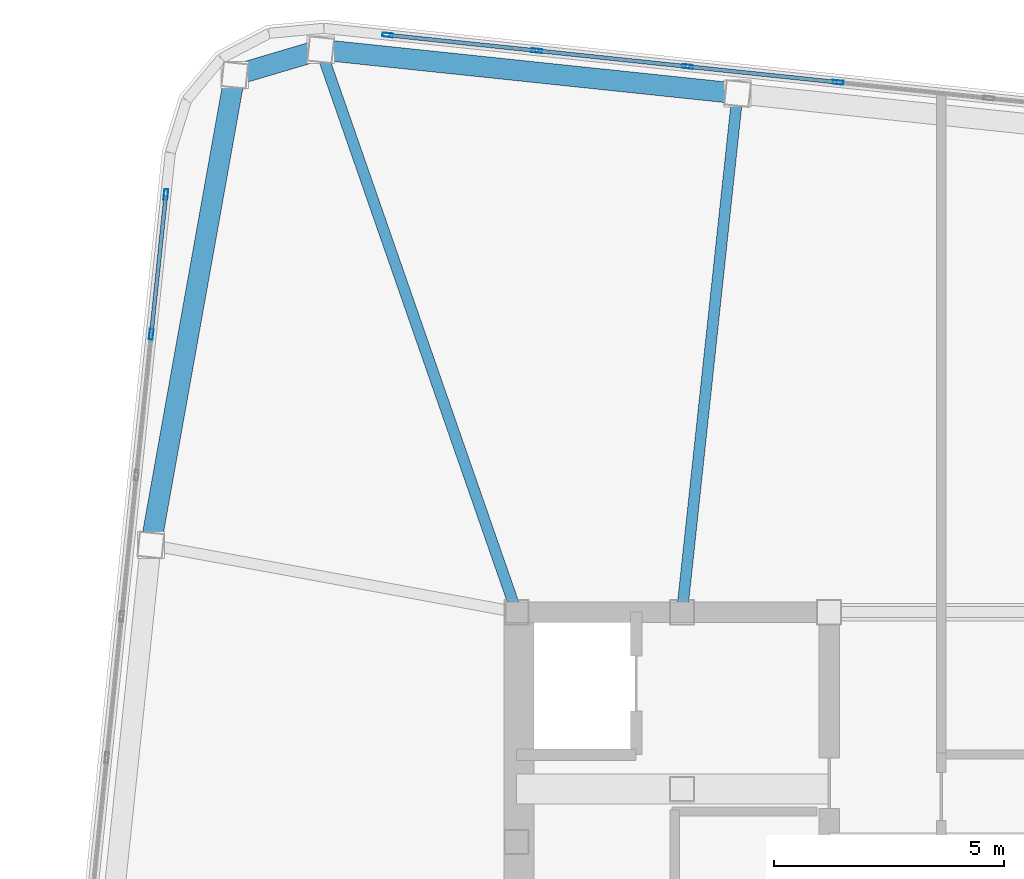
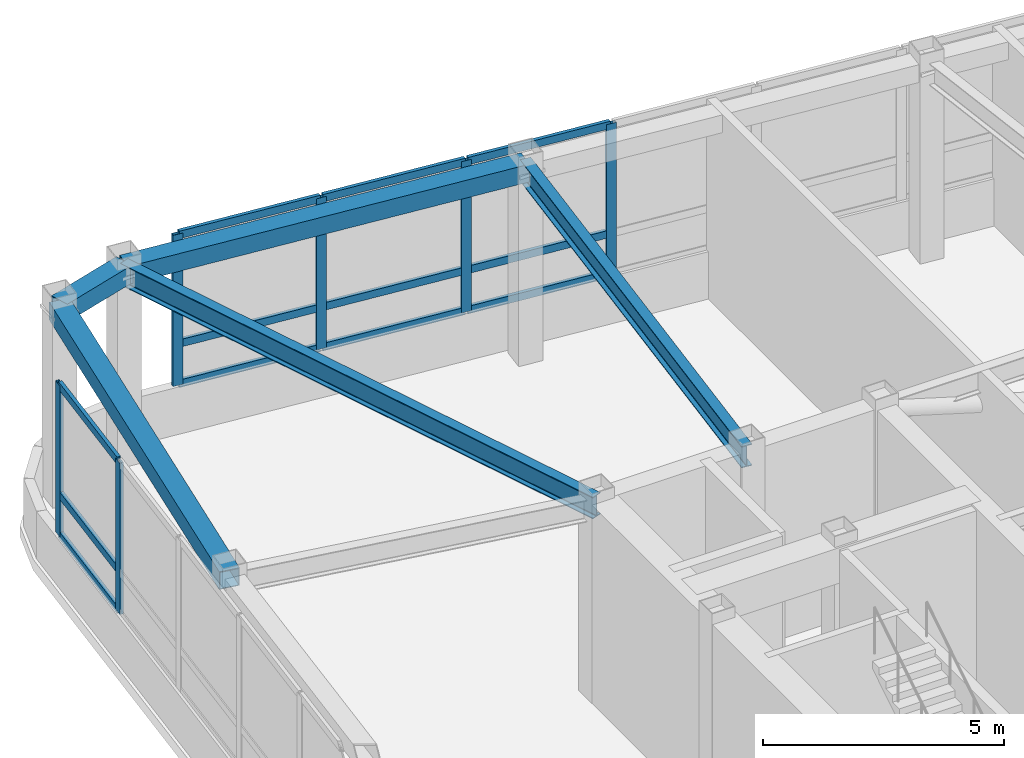
# One storey, part 14 of 23: 18 members, 5 beams, 2 elements without a shape of their own.
"""IFC4 building model written with IfcOpenShell, lengths in metres."""

from ifc_helpers import new_model, si_unit, direction, frame, origin, origin_2d, place, context, subcontext, project, spatial, hollow_rectangle, i_section, extrude, material, layer, layer_set, material_profile, profile_set, type_object, element, aggregate, save


model = new_model("IFC4")

# Units and contexts
model_context = context("Model", 3, precision=1e-05, world=origin(), true_north=direction((0.0, 1.0)))
body_context = subcontext(model_context, "Body", "Model", "MODEL_VIEW")
ifc_project = project(units=[si_unit("LENGTHUNIT", "METRE"), si_unit("AREAUNIT", "SQUARE_METRE"), si_unit("VOLUMEUNIT", "CUBIC_METRE"), si_unit("PLANEANGLEUNIT", "RADIAN"), si_unit("MASSUNIT", "GRAM", prefix="KILO")], contexts=[model_context])

# Site, building, storey
site_placement = place(None, origin())
site = spatial("IfcSite", under=ifc_project, at=site_placement, CompositionType="ELEMENT")
building_placement = place(site_placement, origin())
building = spatial("IfcBuilding", under=site, at=building_placement, Name="Voryun Gate Residences", CompositionType="ELEMENT")
storey_placement = place(building_placement, frame((0.0, 0.0, 326.60009765625)))
storey = spatial("IfcBuildingStorey", under=building, at=storey_placement, Name="L80", CompositionType="ELEMENT", Elevation=326.60009765625)

# Beams
ifc_material_1 = material(Name="Steel SM355", Category="steel")
ifc_material_profile_1 = material_profile(ifc_material_1, hollow_rectangle(XDim=0.449951171875, YDim=0.449951171875, WallThickness=0.01806640625, at=origin_2d()), Name="BOX-450x450x18")
ifc_profile_set_1 = profile_set([ifc_material_profile_1], Name="Steel SM355")
beam_type_1 = type_object("IfcBeamType", Name="BM_CROWN_RING", PredefinedType="BEAM", material=ifc_profile_set_1)
beam_1_placement = place(storey_placement, frame((-14.3916015625, 18.684814453125, 4.7998046875), z_axis=(-0.994520844313, 0.104538462908, 0.0), x_axis=(-0.104538462908, -0.994520844313, 0.0)))
element("IfcBeam", 1, at=beam_1_placement, inside=storey, type_object=beam_type_1, Name="BM-L80-SPAND-15", PredefinedType="BEAM", context=body_context, shape_type="SweptSolid", body=[
    extrude(hollow_rectangle(XDim=0.449951171875, YDim=0.449951171875, WallThickness=0.01806640625, at=origin_2d()), origin(), (0.0, 0.0, 1.0), 9.119873046875),
])
beam_2_placement = place(storey_placement, frame((-23.46142578125, 19.63818359375, 4.7998046875), z_axis=(-0.958835963288, -0.283960552728, 0.0), x_axis=(0.283960552728, -0.958835963288, 0.0)))
element("IfcBeam", 2, at=beam_2_placement, inside=storey, type_object=beam_type_1, Name="BM-L80-SPAND-16", PredefinedType="BEAM", context=body_context, shape_type="SweptSolid", body=[
    extrude(hollow_rectangle(XDim=0.449951171875, YDim=0.449951171875, WallThickness=0.01806640625, at=origin_2d()), origin(), (0.0, 0.0, 1.0), 1.95166015625),
])
beam_3_placement = place(storey_placement, frame((-25.332763671875, 19.083984375, 4.7998046875), z_axis=(-0.175791452213, -0.984427430199, 0.0), x_axis=(0.984427430199, -0.175791452213, 0.0)))
element("IfcBeam", 3, at=beam_3_placement, inside=storey, type_object=beam_type_1, Name="BM-L80-SPAND-17", PredefinedType="BEAM", context=body_context, shape_type="SweptSolid", body=[
    extrude(hollow_rectangle(XDim=0.449951171875, YDim=0.449951171875, WallThickness=0.01806640625, at=origin_2d()), origin(), (0.0, 0.0, 1.0), 10.384033203125),
])
ifc_material_2 = material(Name="Steel SM355", Category="steel")
ifc_material_profile_2 = material_profile(ifc_material_2, i_section(OverallWidth=0.239990234375, OverallDepth=0.550048828125, WebThickness=0.011962890625, FlangeThickness=0.02001953125, FilletRadius=0.01806640625, at=origin_2d()), Name="H-550x240x12x20")
ifc_profile_set_2 = profile_set([ifc_material_profile_2], Name="Steel SM355")
beam_type_2 = type_object("IfcBeamType", Name="BM_GIRD_550", PredefinedType="USERDEFINED", material=ifc_profile_set_2)
beam_4_placement = place(storey_placement, frame((-15.60009765625, 7.39990234375, 4.75), z_axis=(0.106480715232, 0.994314767709, 0.0), x_axis=(-0.994314767709, 0.106480715232, 0.0)))
element("IfcBeam", 4, at=beam_4_placement, inside=storey, type_object=beam_type_2, Name="BM-L80-RAD-N5", ObjectType="GIRDER", PredefinedType="USERDEFINED", context=body_context, shape_type="SweptSolid", body=[
    extrude(i_section(OverallWidth=0.239990234375, OverallDepth=0.550048828125, WebThickness=0.011962890625, FlangeThickness=0.02001953125, FilletRadius=0.01806640625, at=origin_2d()), origin(), (0.0, 0.0, 1.0), 11.349365234375),
])
beam_5_placement = place(storey_placement, frame((-19.199951171875, 7.39990234375, 4.75), z_axis=(-0.328842846436, 0.944384658043, 0.0), x_axis=(-0.944384658043, -0.328842846436, 0.0)))
element("IfcBeam", 5, at=beam_5_placement, inside=storey, type_object=beam_type_2, Name="BM-L80-RAD-N6", ObjectType="GIRDER", PredefinedType="USERDEFINED", context=body_context, shape_type="SweptSolid", body=[
    extrude(i_section(OverallWidth=0.239990234375, OverallDepth=0.550048828125, WebThickness=0.011962890625, FlangeThickness=0.02001953125, FilletRadius=0.01806640625, at=origin_2d()), origin(), (0.0, 0.0, 1.0), 12.958984375),
])

# Curtain wall, members
ifc_material_3 = material(Name="Anodised aluminium", Category="aluminium")
ifc_layer = layer(ifc_material_3, 0.22998046875, Name="CW_SYS_LANTERN_DARK_GLASS")
ifc_layer_set = layer_set([ifc_layer], Name="Anodised aluminium")
curtain_wall_type = type_object("IfcCurtainWallType", Name="CW_SYS_LANTERN_DARK_GLASS", PredefinedType="NOTDEFINED", material=ifc_layer_set)
curtain_wall_1_placement = place(storey_placement, origin())
curtain_wall_1 = element("IfcCurtainWall", 6, at=curtain_wall_1_placement, inside=storey, type_object=curtain_wall_type, Name="Curtain wall CW6-L80-06", PredefinedType="NOTDEFINED")
ifc_material_4 = material(Name="Anodised aluminium", Category="aluminium")
ifc_material_profile_3 = material_profile(ifc_material_4, hollow_rectangle(XDim=0.0849609375, YDim=0.22998046875, WallThickness=0.006103515625, at=origin_2d()), Name="ALU-MULL-230x85x6")
ifc_profile_set_3 = profile_set([ifc_material_profile_3], Name="Anodised aluminium")
member_type_1 = type_object("IfcMemberType", Name="CW_MULL_LANT", PredefinedType="MULLION", material=ifc_profile_set_3)
member_1_placement = place(storey_placement, frame((-27.14892578125, 13.447265625, 1.18994140625), z_axis=(0.0, 0.0, 1.0), x_axis=(-0.994521943608, 0.104528004296, 0.0)))
member_1 = element("IfcMember", 7, at=member_1_placement, type_object=member_type_1, Name="CW6 mullion 9", PredefinedType="MULLION", context=body_context, shape_type="SweptSolid", body=[
    extrude(hollow_rectangle(XDim=0.0849609375, YDim=0.22998046875, WallThickness=0.006103515625, at=origin_2d()), origin(), (0.0, 0.0, 1.0), 3.8349609375),
])
member_2_placement = place(storey_placement, frame((-26.829345703125, 16.48828125, 1.18994140625), z_axis=(0.0, 0.0, 1.0), x_axis=(-0.994521943608, 0.104528004296, 0.0)))
member_2 = element("IfcMember", 8, at=member_2_placement, type_object=member_type_1, Name="CW6 mullion 10", PredefinedType="MULLION", context=body_context, shape_type="SweptSolid", body=[
    extrude(hollow_rectangle(XDim=0.0849609375, YDim=0.22998046875, WallThickness=0.006103515625, at=origin_2d()), origin(), (0.0, 0.0, 1.0), 3.8349609375),
])

curtain_wall_2_placement = place(storey_placement, origin())
curtain_wall_2 = element("IfcCurtainWall", 9, at=curtain_wall_2_placement, inside=storey, type_object=curtain_wall_type, Name="Curtain wall CW6-L80-11", PredefinedType="NOTDEFINED")
member_3_placement = place(storey_placement, frame((-22.005615234375, 19.957763671875, 1.18994140625), z_axis=(0.0, 0.0, 1.0), x_axis=(0.10452775858, 0.994521969434, 0.0)))
member_3 = element("IfcMember", 10, at=member_3_placement, type_object=member_type_1, Name="CW6 mullion 1", PredefinedType="MULLION", context=body_context, shape_type="SweptSolid", body=[
    extrude(hollow_rectangle(XDim=0.0849609375, YDim=0.22998046875, WallThickness=0.006103515625, at=origin_2d()), origin(), (0.0, 0.0, 1.0), 3.8349609375),
])
member_4_placement = place(storey_placement, frame((-18.7587890625, 19.616455078125, 1.18994140625), z_axis=(0.0, 0.0, 1.0), x_axis=(0.10452775858, 0.994521969434, 0.0)))
member_4 = element("IfcMember", 11, at=member_4_placement, type_object=member_type_1, Name="CW6 mullion 2", PredefinedType="MULLION", context=body_context, shape_type="SweptSolid", body=[
    extrude(hollow_rectangle(XDim=0.0849609375, YDim=0.22998046875, WallThickness=0.006103515625, at=origin_2d()), origin(), (0.0, 0.0, 1.0), 3.8349609375),
])
member_5_placement = place(storey_placement, frame((-15.482177734375, 19.272216796875, 1.18994140625), z_axis=(0.0, 0.0, 1.0), x_axis=(0.10452775858, 0.994521969434, 0.0)))
member_5 = element("IfcMember", 12, at=member_5_placement, type_object=member_type_1, Name="CW6 mullion 3", PredefinedType="MULLION", context=body_context, shape_type="SweptSolid", body=[
    extrude(hollow_rectangle(XDim=0.0849609375, YDim=0.22998046875, WallThickness=0.006103515625, at=origin_2d()), origin(), (0.0, 0.0, 1.0), 3.8349609375),
])
member_6_placement = place(storey_placement, frame((-12.20556640625, 18.927734375, 1.18994140625), z_axis=(0.0, 0.0, 1.0), x_axis=(0.10452775858, 0.994521969434, 0.0)))
member_6 = element("IfcMember", 13, at=member_6_placement, type_object=member_type_1, Name="CW6 mullion 4", PredefinedType="MULLION", context=body_context, shape_type="SweptSolid", body=[
    extrude(hollow_rectangle(XDim=0.0849609375, YDim=0.22998046875, WallThickness=0.006103515625, at=origin_2d()), origin(), (0.0, 0.0, 1.0), 3.8349609375),
])

# Member
ifc_material_5 = material(Name="Anodised aluminium", Category="aluminium")
ifc_material_profile_4 = material_profile(ifc_material_5, hollow_rectangle(XDim=0.0849609375, YDim=0.18994140625, WallThickness=0.006103515625, at=origin_2d()), Name="ALU-TRAN-190x85x6")
ifc_profile_set_4 = profile_set([ifc_material_profile_4], Name="Anodised aluminium")
member_type_2 = type_object("IfcMemberType", Name="CW_TRAN_LANT", PredefinedType="USERDEFINED", material=ifc_profile_set_4)
member_7_placement = place(storey_placement, frame((-27.145751953125, 13.47705078125, 1.219970703125), z_axis=(0.104566085446, 0.994517940398, 0.0), x_axis=(-0.994517940398, 0.104566085446, 0.0)))
member_7 = element("IfcMember", 14, at=member_7_placement, type_object=member_type_2, Name="CW6 transom 9.1", ObjectType="TRANSOM", PredefinedType="USERDEFINED", context=body_context, shape_type="SweptSolid", body=[
    extrude(hollow_rectangle(XDim=0.0849609375, YDim=0.18994140625, WallThickness=0.006103515625, at=origin_2d()), origin(), (0.0, 0.0, 1.0), 2.997802734375),
])

member_8_placement = place(storey_placement, frame((-27.145751953125, 13.47705078125, 2.239990234375), z_axis=(0.104566085446, 0.994517940398, 0.0), x_axis=(-0.994517940398, 0.104566085446, 0.0)))
member_8 = element("IfcMember", 15, at=member_8_placement, type_object=member_type_2, Name="CW6 transom 9.2", ObjectType="TRANSOM", PredefinedType="USERDEFINED", context=body_context, shape_type="SweptSolid", body=[
    extrude(hollow_rectangle(XDim=0.0849609375, YDim=0.18994140625, WallThickness=0.006103515625, at=origin_2d()), origin(), (0.0, 0.0, 1.0), 2.997802734375),
])

member_9_placement = place(storey_placement, frame((-27.145751953125, 13.47705078125, 4.994873046875), z_axis=(0.104566085446, 0.994517940398, 0.0), x_axis=(-0.994517940398, 0.104566085446, 0.0)))
member_9 = element("IfcMember", 16, at=member_9_placement, type_object=member_type_2, Name="CW6 transom 9.3", ObjectType="TRANSOM", PredefinedType="USERDEFINED", context=body_context, shape_type="SweptSolid", body=[
    extrude(hollow_rectangle(XDim=0.0849609375, YDim=0.18994140625, WallThickness=0.006103515625, at=origin_2d()), origin(), (0.0, 0.0, 1.0), 2.997802734375),
])

aggregate(curtain_wall_1, [member_1, member_2, member_7, member_8, member_9])

member_10_placement = place(storey_placement, frame((-21.975830078125, 19.95458984375, 1.219970703125), z_axis=(0.994522970689, -0.104518231772, 0.0), x_axis=(0.104518231772, 0.994522970689, 0.0)))
member_10 = element("IfcMember", 17, at=member_10_placement, type_object=member_type_2, Name="CW6 transom 1.1", ObjectType="TRANSOM", PredefinedType="USERDEFINED", context=body_context, shape_type="SweptSolid", body=[
    extrude(hollow_rectangle(XDim=0.0849609375, YDim=0.18994140625, WallThickness=0.006103515625, at=origin_2d()), origin(), (0.0, 0.0, 1.0), 3.204833984375),
])

member_11_placement = place(storey_placement, frame((-21.975830078125, 19.95458984375, 2.239990234375), z_axis=(0.994522970689, -0.104518231772, 0.0), x_axis=(0.104518231772, 0.994522970689, 0.0)))
member_11 = element("IfcMember", 18, at=member_11_placement, type_object=member_type_2, Name="CW6 transom 1.2", ObjectType="TRANSOM", PredefinedType="USERDEFINED", context=body_context, shape_type="SweptSolid", body=[
    extrude(hollow_rectangle(XDim=0.0849609375, YDim=0.18994140625, WallThickness=0.006103515625, at=origin_2d()), origin(), (0.0, 0.0, 1.0), 3.204833984375),
])

member_12_placement = place(storey_placement, frame((-21.975830078125, 19.95458984375, 4.994873046875), z_axis=(0.994522970689, -0.104518231772, 0.0), x_axis=(0.104518231772, 0.994522970689, 0.0)))
member_12 = element("IfcMember", 19, at=member_12_placement, type_object=member_type_2, Name="CW6 transom 1.3", ObjectType="TRANSOM", PredefinedType="USERDEFINED", context=body_context, shape_type="SweptSolid", body=[
    extrude(hollow_rectangle(XDim=0.0849609375, YDim=0.18994140625, WallThickness=0.006103515625, at=origin_2d()), origin(), (0.0, 0.0, 1.0), 3.204833984375),
])

member_13_placement = place(storey_placement, frame((-18.72900390625, 19.61328125, 1.219970703125), z_axis=(0.994521569819, -0.104531560613, 0.0), x_axis=(0.104531560613, 0.994521569819, 0.0)))
member_13 = element("IfcMember", 20, at=member_13_placement, type_object=member_type_2, Name="CW6 transom 2.1", ObjectType="TRANSOM", PredefinedType="USERDEFINED", context=body_context, shape_type="SweptSolid", body=[
    extrude(hollow_rectangle(XDim=0.0849609375, YDim=0.18994140625, WallThickness=0.006103515625, at=origin_2d()), origin(), (0.0, 0.0, 1.0), 3.23486328125),
])

member_14_placement = place(storey_placement, frame((-18.72900390625, 19.61328125, 2.239990234375), z_axis=(0.994521569819, -0.104531560613, 0.0), x_axis=(0.104531560613, 0.994521569819, 0.0)))
member_14 = element("IfcMember", 21, at=member_14_placement, type_object=member_type_2, Name="CW6 transom 2.2", ObjectType="TRANSOM", PredefinedType="USERDEFINED", context=body_context, shape_type="SweptSolid", body=[
    extrude(hollow_rectangle(XDim=0.0849609375, YDim=0.18994140625, WallThickness=0.006103515625, at=origin_2d()), origin(), (0.0, 0.0, 1.0), 3.23486328125),
])

member_15_placement = place(storey_placement, frame((-18.72900390625, 19.61328125, 4.994873046875), z_axis=(0.994521569819, -0.104531560613, 0.0), x_axis=(0.104531560613, 0.994521569819, 0.0)))
member_15 = element("IfcMember", 22, at=member_15_placement, type_object=member_type_2, Name="CW6 transom 2.3", ObjectType="TRANSOM", PredefinedType="USERDEFINED", context=body_context, shape_type="SweptSolid", body=[
    extrude(hollow_rectangle(XDim=0.0849609375, YDim=0.18994140625, WallThickness=0.006103515625, at=origin_2d()), origin(), (0.0, 0.0, 1.0), 3.23486328125),
])

member_16_placement = place(storey_placement, frame((-15.452392578125, 19.26904296875, 1.219970703125), z_axis=(0.994521569819, -0.104531560613, 0.0), x_axis=(0.104531560613, 0.994521569819, 0.0)))
member_16 = element("IfcMember", 23, at=member_16_placement, type_object=member_type_2, Name="CW6 transom 3.1", ObjectType="TRANSOM", PredefinedType="USERDEFINED", context=body_context, shape_type="SweptSolid", body=[
    extrude(hollow_rectangle(XDim=0.0849609375, YDim=0.18994140625, WallThickness=0.006103515625, at=origin_2d()), origin(), (0.0, 0.0, 1.0), 3.23486328125),
])

member_17_placement = place(storey_placement, frame((-15.452392578125, 19.26904296875, 2.239990234375), z_axis=(0.994521569819, -0.104531560613, 0.0), x_axis=(0.104531560613, 0.994521569819, 0.0)))
member_17 = element("IfcMember", 24, at=member_17_placement, type_object=member_type_2, Name="CW6 transom 3.2", ObjectType="TRANSOM", PredefinedType="USERDEFINED", context=body_context, shape_type="SweptSolid", body=[
    extrude(hollow_rectangle(XDim=0.0849609375, YDim=0.18994140625, WallThickness=0.006103515625, at=origin_2d()), origin(), (0.0, 0.0, 1.0), 3.23486328125),
])

member_18_placement = place(storey_placement, frame((-15.452392578125, 19.26904296875, 4.994873046875), z_axis=(0.994521569819, -0.104531560613, 0.0), x_axis=(0.104531560613, 0.994521569819, 0.0)))
member_18 = element("IfcMember", 25, at=member_18_placement, type_object=member_type_2, Name="CW6 transom 3.3", ObjectType="TRANSOM", PredefinedType="USERDEFINED", context=body_context, shape_type="SweptSolid", body=[
    extrude(hollow_rectangle(XDim=0.0849609375, YDim=0.18994140625, WallThickness=0.006103515625, at=origin_2d()), origin(), (0.0, 0.0, 1.0), 3.23486328125),
])

aggregate(curtain_wall_2, [member_3, member_4, member_5, member_6, member_10, member_11, member_12, member_13, member_14, member_15, member_16, member_17, member_18])

save(model, "model.ifc")
